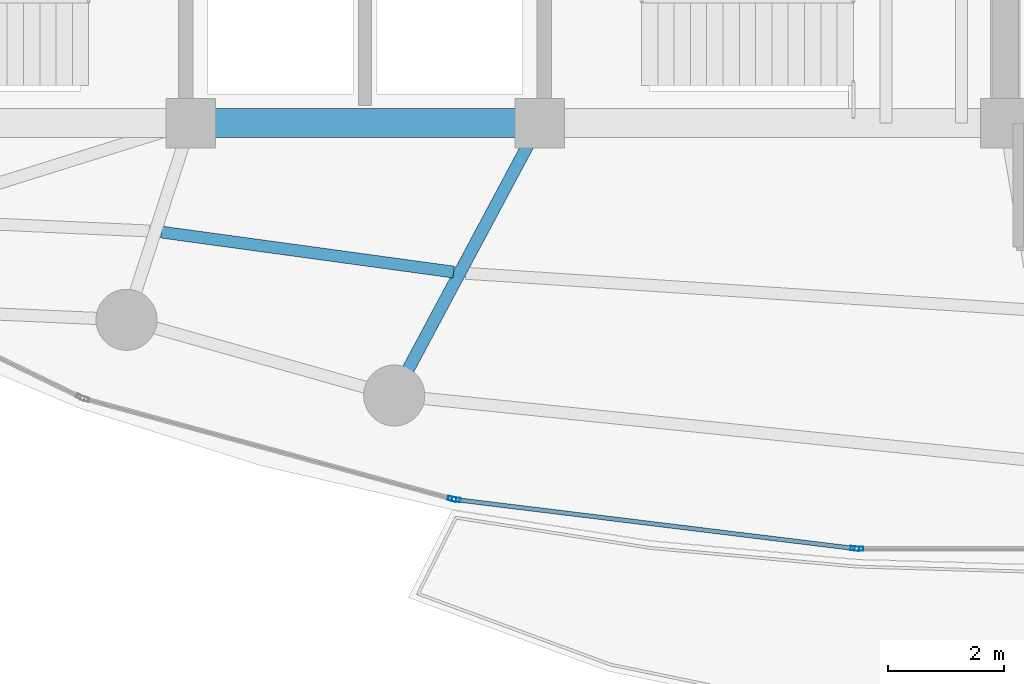
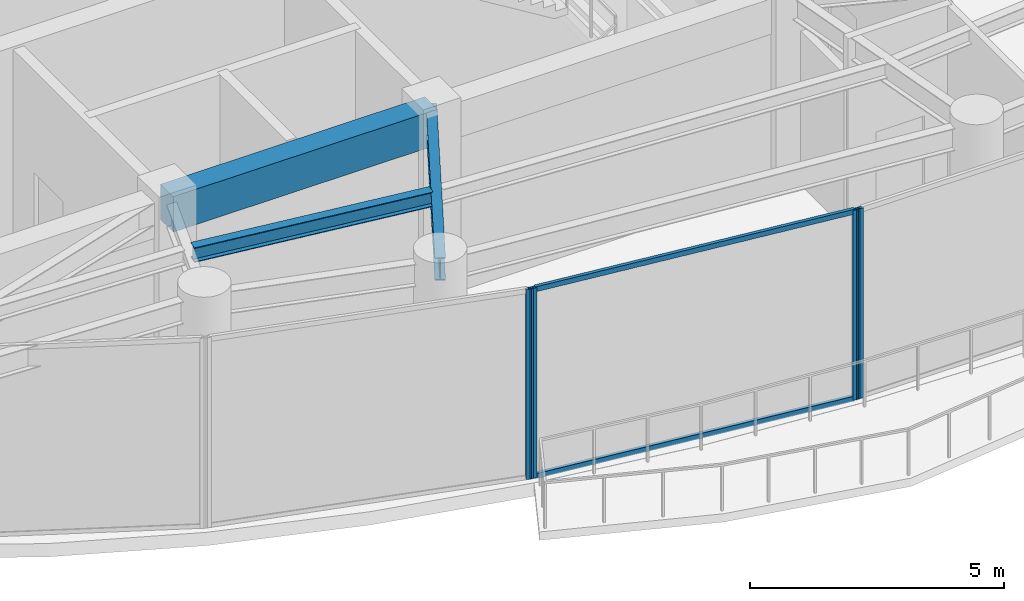
# One storey, part 5 of 28: 6 members, 3 beams, 3 elements without a shape of their own.
"""IFC4 building model written with IfcOpenShell, lengths in metres."""

from ifc_helpers import new_model, si_unit, direction, frame, origin, origin_2d, place, context, subcontext, project, spatial, rectangle, hollow_rectangle, i_section, extrude, material, layer, layer_set, material_profile, profile_set, type_object, element, aggregate, save


model = new_model("IFC4")

# Units and contexts
model_context = context("Model", 3, precision=1e-05, world=origin(), true_north=direction((0.0, 1.0)))
body_context = subcontext(model_context, "Body", "Model", "MODEL_VIEW")
ifc_project = project(units=[si_unit("LENGTHUNIT", "METRE"), si_unit("AREAUNIT", "SQUARE_METRE"), si_unit("VOLUMEUNIT", "CUBIC_METRE"), si_unit("PLANEANGLEUNIT", "RADIAN"), si_unit("MASSUNIT", "GRAM", prefix="KILO")], contexts=[model_context])

# Site, building, storey
site_placement = place(None, origin())
site = spatial("IfcSite", under=ifc_project, at=site_placement, CompositionType="ELEMENT")
building_placement = place(site_placement, origin())
building = spatial("IfcBuilding", under=site, at=building_placement, Name="Kazevale Care Tower and Concert Hall", CompositionType="ELEMENT")
storey_placement = place(building_placement, frame((0.0, 0.0, 190.800048828125)))
storey = spatial("IfcBuildingStorey", under=building, at=storey_placement, Name="L50", CompositionType="ELEMENT", Elevation=190.800048828125)

# Curtain wall, member
ifc_material_1 = material(Name="Aluminium 6063-T6 and Low-E Glass", Category="aluminium")
ifc_layer = layer(ifc_material_1, 0.179931640625)
ifc_layer_set = layer_set([ifc_layer], Name="Aluminium 6063-T6 and Low-E Glass")
curtain_wall_type = type_object("IfcCurtainWallType", Name="Sheltered Concave Balcony Curtain Wall CW-5", PredefinedType="NOTDEFINED", material=ifc_layer_set)
curtain_wall_1_placement = place(storey_placement, origin())
curtain_wall_1 = element("IfcCurtainWall", 1, at=curtain_wall_1_placement, inside=storey, type_object=curtain_wall_type, Name="cw:L50:f06", PredefinedType="NOTDEFINED")
ifc_material_2 = material(Name="Aluminium 6063-T6", Category="aluminium")
ifc_material_profile_1 = material_profile(ifc_material_2, hollow_rectangle(XDim=0.074951171875, YDim=0.14990234375, WallThickness=0.00390625, at=origin_2d()), Name="ALU75x150x4")
ifc_profile_set_1 = profile_set([ifc_material_profile_1], Name="Aluminium 6063-T6")
member_type_1 = type_object("IfcMemberType", Name="CW-5 Mullion ALU75x150x4", PredefinedType="MULLION", material=ifc_profile_set_1)
member_1_placement = place(storey_placement, frame((41.487548828125, 16.284912109375, 0.0), z_axis=(0.0, 0.0, 1.0), x_axis=(0.0, -1.0, 0.0)))
member_1 = element("IfcMember", 2, at=member_1_placement, type_object=member_type_1, Name="CW-5 mullion 2", PredefinedType="MULLION", context=body_context, shape_type="SweptSolid", body=[
    extrude(hollow_rectangle(XDim=0.074951171875, YDim=0.14990234375, WallThickness=0.00390625, at=origin_2d()), origin(), (0.0, 0.0, 1.0), 4.56005859375),
])
aggregate(curtain_wall_1, [member_1])

# Curtain wall, members
curtain_wall_2_placement = place(storey_placement, origin())
curtain_wall_2 = element("IfcCurtainWall", 3, at=curtain_wall_2_placement, inside=storey, type_object=curtain_wall_type, Name="cw:L50:f07", PredefinedType="NOTDEFINED")
member_2_placement = place(storey_placement, frame((41.412841796875, 16.28955078125, 0.0), z_axis=(0.0, 0.0, 1.0), x_axis=(-0.121650797964, -0.992572961225, 0.0)))
member_2 = element("IfcMember", 4, at=member_2_placement, type_object=member_type_1, Name="CW-5 mullion 1", PredefinedType="MULLION", context=body_context, shape_type="SweptSolid", body=[
    extrude(hollow_rectangle(XDim=0.074951171875, YDim=0.14990234375, WallThickness=0.00390625, at=origin_2d()), origin(), (0.0, 0.0, 1.0), 4.56005859375),
])
member_3_placement = place(storey_placement, frame((34.568115234375, 17.12841796875, 0.0), z_axis=(0.0, 0.0, 1.0), x_axis=(-0.121650797964, -0.992572961225, 0.0)))
member_3 = element("IfcMember", 5, at=member_3_placement, type_object=member_type_1, Name="CW-5 mullion 2", PredefinedType="MULLION", context=body_context, shape_type="SweptSolid", body=[
    extrude(hollow_rectangle(XDim=0.074951171875, YDim=0.14990234375, WallThickness=0.00390625, at=origin_2d()), origin(), (0.0, 0.0, 1.0), 4.56005859375),
])

# Curtain wall, member
curtain_wall_3_placement = place(storey_placement, origin())
curtain_wall_3 = element("IfcCurtainWall", 6, at=curtain_wall_3_placement, inside=storey, type_object=curtain_wall_type, Name="cw:L50:f08", PredefinedType="NOTDEFINED")
member_4_placement = place(storey_placement, frame((34.494873046875, 17.142822265625, 0.0), z_axis=(0.0, 0.0, 1.0), x_axis=(-0.262848968947, -0.964836991167, 0.0)))
member_4 = element("IfcMember", 7, at=member_4_placement, type_object=member_type_1, Name="CW-5 mullion 1", PredefinedType="MULLION", context=body_context, shape_type="SweptSolid", body=[
    extrude(hollow_rectangle(XDim=0.074951171875, YDim=0.14990234375, WallThickness=0.00390625, at=origin_2d()), origin(), (0.0, 0.0, 1.0), 4.56005859375),
])
aggregate(curtain_wall_3, [member_4])

# Member
ifc_material_profile_2 = material_profile(ifc_material_2, hollow_rectangle(XDim=0.074951171875, YDim=0.1201171875, WallThickness=0.00390625, at=origin_2d()), Name="ALU75x120x4")
ifc_profile_set_2 = profile_set([ifc_material_profile_2], Name="Aluminium 6063-T6")
member_type_2 = type_object("IfcMemberType", Name="CW-5 Transom ALU75x120x4", PredefinedType="USERDEFINED", material=ifc_profile_set_2)
member_5_placement = place(storey_placement, frame((41.37548828125, 16.294189453125, 0.037353515625), z_axis=(-0.992575633306, 0.121628993941, 0.0), x_axis=(-0.121628993941, -0.992575633306, 0.0)))
member_5 = element("IfcMember", 8, at=member_5_placement, type_object=member_type_2, Name="CW-5 transom 1.1", ObjectType="TRANSOM", PredefinedType="USERDEFINED", context=body_context, shape_type="SweptSolid", body=[
    extrude(hollow_rectangle(XDim=0.074951171875, YDim=0.1201171875, WallThickness=0.00390625, at=origin_2d()), origin(), (0.0, 0.0, 1.0), 6.820556640625),
])

member_6_placement = place(storey_placement, frame((41.37548828125, 16.294189453125, 4.5224609375), z_axis=(-0.992575633306, 0.121628993941, 0.0), x_axis=(-0.121628993941, -0.992575633306, 0.0)))
member_6 = element("IfcMember", 9, at=member_6_placement, type_object=member_type_2, Name="CW-5 transom 1.2", ObjectType="TRANSOM", PredefinedType="USERDEFINED", context=body_context, shape_type="SweptSolid", body=[
    extrude(hollow_rectangle(XDim=0.074951171875, YDim=0.1201171875, WallThickness=0.00390625, at=origin_2d()), origin(), (0.0, 0.0, 1.0), 6.820556640625),
])

aggregate(curtain_wall_2, [member_2, member_3, member_5, member_6])

# Beams
ifc_material_3 = material(Name="Concrete C60", Category="concrete")
ifc_material_profile_3 = material_profile(ifc_material_3, rectangle(XDim=0.5, YDim=0.85009765625, at=origin_2d()), Name="RC-B500x850")
ifc_profile_set_3 = profile_set([ifc_material_profile_3], Name="Concrete C60")
beam_type_1 = type_object("IfcBeamType", Name="Core Coupling Beam RC500x850", PredefinedType="LINTEL", material=ifc_profile_set_3)
beam_1_placement = place(storey_placement, frame((30.0, 23.60009765625, 4.135009765625), z_axis=(1.0, 0.0, 0.0), x_axis=(0.0, 1.0, 0.0)))
element("IfcBeam", 10, at=beam_1_placement, inside=storey, type_object=beam_type_1, Name="beam:L50:coretie:2", PredefinedType="LINTEL", context=body_context, shape_type="SweptSolid", body=[
    extrude(rectangle(XDim=0.5, YDim=0.85009765625, at=origin_2d()), origin(), (0.0, 0.0, 1.0), 6.0),
])
ifc_material_4 = material(Name="Steel ASTM A572 Gr 50", Category="steel")
ifc_material_profile_4 = material_profile(ifc_material_4, i_section(OverallWidth=0.2119140625, OverallDepth=0.5439453125, WebThickness=0.01318359375, FlangeThickness=0.021240234375, at=origin_2d()), Name="W530x123")
ifc_profile_set_4 = profile_set([ifc_material_profile_4], Name="Steel ASTM A572 Gr 50")
beam_type_2 = type_object("IfcBeamType", Name="Radial Floor Girder W530x123", PredefinedType="BEAM", material=ifc_profile_set_4)
beam_2_placement = place(storey_placement, frame((36.0, 23.60009765625, 4.287841796875), z_axis=(-0.471161293943, -0.88204707079, 0.0), x_axis=(0.88204707079, -0.471161293943, 0.0)))
element("IfcBeam", 11, at=beam_2_placement, inside=storey, type_object=beam_type_2, Name="beam:L50:rad:12", PredefinedType="BEAM", context=body_context, shape_type="SweptSolid", body=[
    extrude(i_section(OverallWidth=0.2119140625, OverallDepth=0.5439453125, WebThickness=0.01318359375, FlangeThickness=0.021240234375, at=origin_2d()), origin(), (0.0, 0.0, 1.0), 5.30615234375),
])
ifc_material_profile_5 = material_profile(ifc_material_4, i_section(OverallWidth=0.205078125, OverallDepth=0.35400390625, WebThickness=0.009521484375, FlangeThickness=0.016845703125, at=origin_2d()), Name="W360x79")
ifc_profile_set_5 = profile_set([ifc_material_profile_5], Name="Steel ASTM A572 Gr 50")
beam_type_3 = type_object("IfcBeamType", Name="Secondary Floor Joist W360x79", PredefinedType="JOIST", material=ifc_profile_set_5)
beam_3_placement = place(storey_placement, frame((29.4990234375, 21.72705078125, 4.383056640625), z_axis=(0.990772043119, -0.13553877148, 0.0), x_axis=(0.13553877148, 0.990772043119, 0.0)))
element("IfcBeam", 12, at=beam_3_placement, inside=storey, type_object=beam_type_3, Name="beam:L50:joist:11", PredefinedType="JOIST", context=body_context, shape_type="SweptSolid", body=[
    extrude(i_section(OverallWidth=0.205078125, OverallDepth=0.35400390625, WebThickness=0.009521484375, FlangeThickness=0.016845703125, at=origin_2d()), origin(), (0.0, 0.0, 1.0), 5.06884765625),
])

save(model, "model.ifc")
